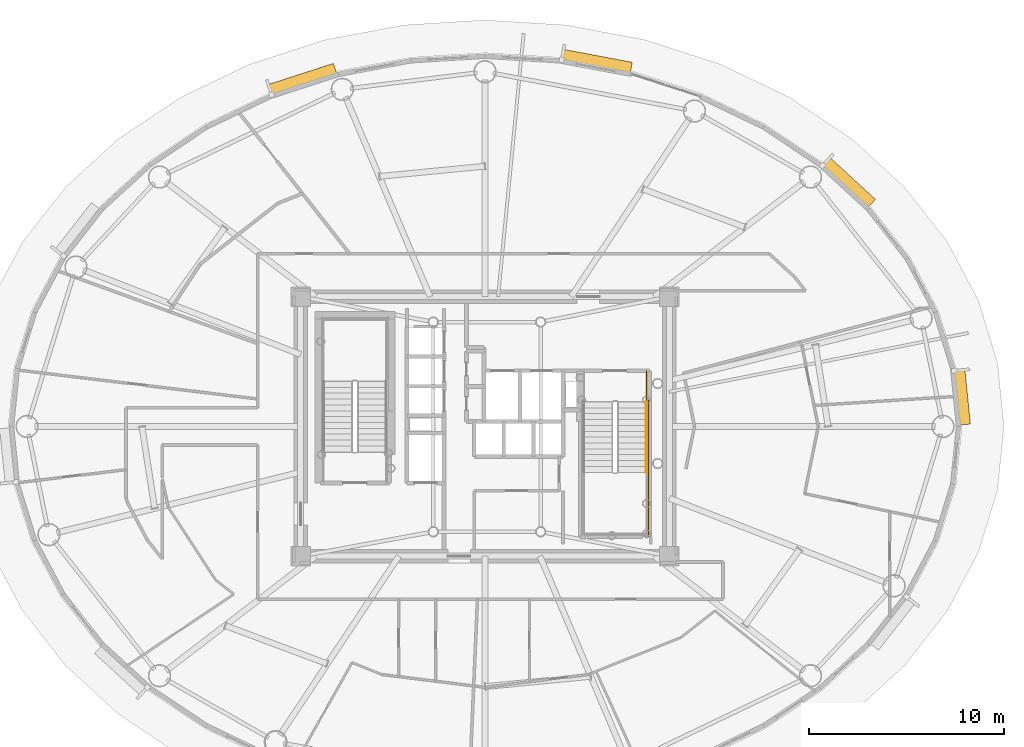
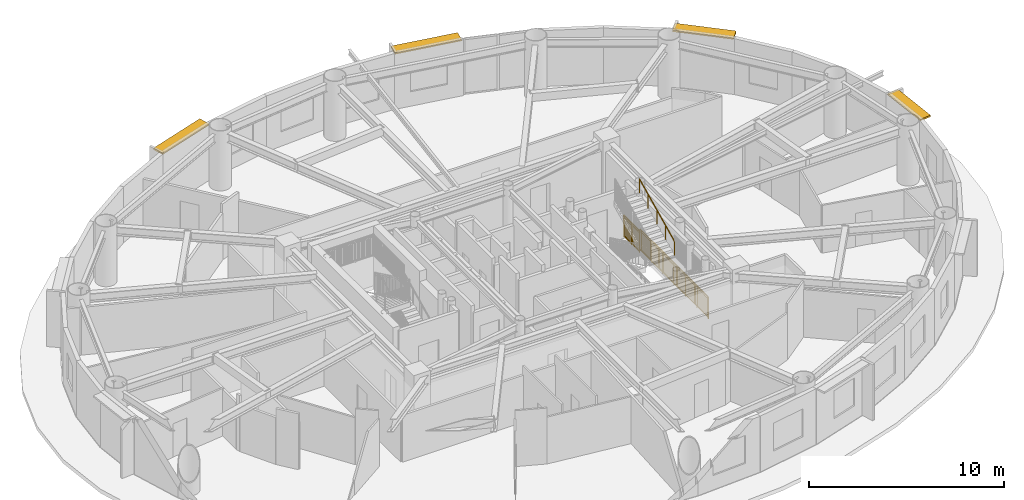
# One storey, part 19 of 19: 4 shading devices, 3 railings.
"""IFC4 building model written with IfcOpenShell, lengths in metres."""

from ifc_helpers import new_model, si_unit, direction, frame, origin, origin_2d, place, context, subcontext, project, spatial, rectangle, extrude, source, transform, mapped, material, layer, layer_set, type_object, element, save


model = new_model("IFC4")

# Units and contexts
model_context = context("Model", 3, precision=1e-05, world=origin(), true_north=direction((0.0, 1.0)))
body_context = subcontext(model_context, "Body", "Model", "MODEL_VIEW")
ifc_project = project(units=[si_unit("LENGTHUNIT", "METRE"), si_unit("AREAUNIT", "SQUARE_METRE"), si_unit("VOLUMEUNIT", "CUBIC_METRE"), si_unit("PLANEANGLEUNIT", "RADIAN"), si_unit("MASSUNIT", "GRAM", prefix="KILO")], contexts=[model_context])

# Site, building, storey
site_placement = place(None, origin())
site = spatial("IfcSite", under=ifc_project, at=site_placement, CompositionType="ELEMENT")
building_placement = place(site_placement, origin())
building = spatial("IfcBuilding", under=site, at=building_placement, Name="Linh Dai School and Residence Tower", CompositionType="ELEMENT")
storey_placement = place(building_placement, frame((0.0, 0.0, 210.300048828125)))
storey = spatial("IfcBuildingStorey", under=building, at=storey_placement, Name="L51", CompositionType="ELEMENT", Elevation=210.300048828125)

# Shading devices
ifc_material_1 = material(Name="Terracotta Ceramic Sunshade", Category="masonry")
ifc_layer = layer(ifc_material_1, 0.10009765625)
ifc_layer_set = layer_set([ifc_layer], Name="Terracotta Ceramic Sunshade")
shading_device_type = type_object("IfcShadingDeviceType", Name="SHD-TC-650", PredefinedType="USERDEFINED", material=ifc_layer_set)
shared_shape_1 = source(origin(), body_context, "Body", "SweptSolid", [
    extrude(rectangle(XDim=2.859619140625, YDim=0.64990234375, at=origin_2d()), origin(), (0.0, 0.0, 1.0), 0.10009765625),
])
shading_device_1_placement = place(storey_placement, frame((60.40966796875, 28.510498046875, 3.3798828125), z_axis=(0.0, 0.0, 1.0), x_axis=(0.100012244219, -0.99498620644, 0.0)))
element("IfcShadingDevice", 1, at=shading_device_1_placement, inside=storey, type_object=shading_device_type, Name="L51 Terracotta Horizontal Sunshade Band 01", ObjectType="SUNSHADE", PredefinedType="USERDEFINED", context=body_context, shape_type="MappedRepresentation", body=[
    mapped(shared_shape_1, transform((0.0, 0.0, 0.0), x_axis=(1.0, 0.0, 0.0), y_axis=(0.0, 1.0, 0.0), z_axis=(0.0, 0.0, 1.0), scale=1.0)),
])
shared_shape_2 = source(origin(), body_context, "Body", "SweptSolid", [
    extrude(rectangle(XDim=3.219482421875, YDim=0.64990234375, at=origin_2d()), origin(), (0.0, 0.0, 1.0), 0.10009765625),
])
shading_device_2_placement = place(storey_placement, frame((54.60498046875, 39.48779296875, 3.3798828125), z_axis=(0.0, 0.0, 1.0), x_axis=(0.737123938446, -0.675757574408, 0.0)))
element("IfcShadingDevice", 2, at=shading_device_2_placement, inside=storey, type_object=shading_device_type, Name="L51 Terracotta Horizontal Sunshade Band 05", ObjectType="SUNSHADE", PredefinedType="USERDEFINED", context=body_context, shape_type="MappedRepresentation", body=[
    mapped(shared_shape_2, transform((0.0, 0.0, 0.0), x_axis=(1.0, 0.0, 0.0), y_axis=(0.0, 1.0, 0.0), z_axis=(0.0, 0.0, 1.0), scale=1.0)),
])
shared_shape_3 = source(origin(), body_context, "Body", "SweptSolid", [
    extrude(rectangle(XDim=3.62158203125, YDim=0.64990234375, at=origin_2d()), origin(), (0.0, 0.0, 1.0), 0.10009765625),
])
shading_device_3_placement = place(storey_placement, frame((41.7080078125, 45.67724609375, 3.3798828125), z_axis=(0.0, 0.0, 1.0), x_axis=(0.982786586765, -0.18474448537, 0.0)))
element("IfcShadingDevice", 3, at=shading_device_3_placement, inside=storey, type_object=shading_device_type, Name="L51 Terracotta Horizontal Sunshade Band 09", ObjectType="SUNSHADE", PredefinedType="USERDEFINED", context=body_context, shape_type="MappedRepresentation", body=[
    mapped(shared_shape_3, transform((0.0, 0.0, 0.0), x_axis=(1.0, 0.0, 0.0), y_axis=(0.0, 1.0, 0.0), z_axis=(0.0, 0.0, 1.0), scale=1.0)),
])
shared_shape_4 = source(origin(), body_context, "Body", "SweptSolid", [
    extrude(rectangle(XDim=3.554443359375, YDim=0.64990234375, at=origin_2d()), origin(), (0.0, 0.0, 1.0), 0.10009765625),
])
shading_device_4_placement = place(storey_placement, frame((26.641845703125, 44.748779296875, 3.3798828125), z_axis=(0.0, 0.0, 1.0), x_axis=(0.951223997135, 0.308501065272, 0.0)))
element("IfcShadingDevice", 4, at=shading_device_4_placement, inside=storey, type_object=shading_device_type, Name="L51 Terracotta Horizontal Sunshade Band 13", ObjectType="SUNSHADE", PredefinedType="USERDEFINED", context=body_context, shape_type="MappedRepresentation", body=[
    mapped(shared_shape_4, transform((0.0, 0.0, 0.0), x_axis=(1.0, 0.0, 0.0), y_axis=(0.0, 1.0, 0.0), z_axis=(0.0, 0.0, 1.0), scale=1.0)),
])

# Railings
ifc_material_2 = material(Name="Brushed Stainless Steel Handrail", Category="steel")
railing_type_1 = type_object("IfcRailingType", Name="RL-ST-HANDRAIL-900", PredefinedType="HANDRAIL", material=ifc_material_2)
shared_shape_5 = source(origin(), body_context, "Body", "SweptSolid", [
    extrude(rectangle(XDim=0.048095703125, YDim=0.048095703125, at=origin_2d()), frame((0.0, 0.0, 0.8759765625), z_axis=(0.0, 0.901262522062, 0.433273431364), x_axis=(-1.0, 0.0, 0.0)), (0.0, 0.0, 1.0), 3.994384765625),
    extrude(rectangle(XDim=0.0419921875, YDim=0.0419921875, at=origin_2d()), origin(), (0.0, 0.0, 1.0), 0.8759765625),
    extrude(rectangle(XDim=0.0419921875, YDim=0.0419921875, at=origin_2d()), frame((0.0, 0.89990234375, 0.4326171875)), (0.0, 0.0, 1.0), 0.8759765625),
    extrude(rectangle(XDim=0.0419921875, YDim=0.0419921875, at=origin_2d()), frame((0.0, 1.800048828125, 0.865234375)), (0.0, 0.0, 1.0), 0.8759765625),
    extrude(rectangle(XDim=0.0419921875, YDim=0.0419921875, at=origin_2d()), frame((0.0, 2.7001953125, 1.298095703125)), (0.0, 0.0, 1.0), 0.8759765625),
    extrude(rectangle(XDim=0.0419921875, YDim=0.0419921875, at=origin_2d()), frame((0.0, 3.60009765625, 1.730712890625)), (0.0, 0.0, 1.0), 0.8759765625),
])
railing_1_placement = place(storey_placement, frame((44.27001953125, 24.64990234375, 2.019287109375)))
element("IfcRailing", 5, at=railing_1_placement, inside=storey, type_object=railing_type_1, Name="L51 ST2 stair handrail 2", PredefinedType="HANDRAIL", context=body_context, shape_type="MappedRepresentation", body=[
    mapped(shared_shape_5, transform((0.0, 0.0, 0.0), x_axis=(1.0, 0.0, 0.0), y_axis=(0.0, 1.0, 0.0), z_axis=(0.0, 0.0, 1.0), scale=1.0)),
])
ifc_material_3 = material(Name="Structural Steel S355JR", Category="steel")
railing_type_2 = type_object("IfcRailingType", Name="RL-ST-GUARD-1400", PredefinedType="GUARDRAIL", material=ifc_material_3)
shared_shape_6 = source(origin(), body_context, "Body", "SweptSolid", [
    extrude(rectangle(XDim=0.048095703125, YDim=0.048095703125, at=origin_2d()), frame((0.0, 0.0, 1.3759765625), z_axis=(0.0, -1.0, 0.0), x_axis=(1.0, 0.0, 0.0)), (0.0, 0.0, 1.0), 1.60009765625),
    extrude(rectangle(XDim=0.048095703125, YDim=0.048095703125, at=origin_2d()), frame((0.0, 0.0, 0.10009765625), z_axis=(0.0, -1.0, 0.0), x_axis=(1.0, 0.0, 0.0)), (0.0, 0.0, 1.0), 1.60009765625),
    extrude(rectangle(XDim=0.030029296875, YDim=0.030029296875, at=origin_2d()), frame((0.0, 0.0, 1.239990234375), z_axis=(0.0, -1.0, 0.0), x_axis=(1.0, 0.0, 0.0)), (0.0, 0.0, 1.0), 1.60009765625),
    extrude(rectangle(XDim=0.02001953125, YDim=0.02001953125, at=origin_2d()), frame((0.0, -0.09423828125, 0.10009765625)), (0.0, 0.0, 1.0), 1.251708984375),
    extrude(rectangle(XDim=0.02001953125, YDim=0.02001953125, at=origin_2d()), frame((0.0, -0.188232421875, 0.10009765625)), (0.0, 0.0, 1.0), 1.251708984375),
    extrude(rectangle(XDim=0.02001953125, YDim=0.02001953125, at=origin_2d()), frame((0.0, -0.282470703125, 0.10009765625)), (0.0, 0.0, 1.0), 1.251708984375),
    extrude(rectangle(XDim=0.02001953125, YDim=0.02001953125, at=origin_2d()), frame((0.0, -0.37646484375, 0.10009765625)), (0.0, 0.0, 1.0), 1.251708984375),
    extrude(rectangle(XDim=0.02001953125, YDim=0.02001953125, at=origin_2d()), frame((0.0, -0.470703125, 0.10009765625)), (0.0, 0.0, 1.0), 1.251708984375),
    extrude(rectangle(XDim=0.02001953125, YDim=0.02001953125, at=origin_2d()), frame((0.0, -0.564697265625, 0.10009765625)), (0.0, 0.0, 1.0), 1.251708984375),
    extrude(rectangle(XDim=0.02001953125, YDim=0.02001953125, at=origin_2d()), frame((0.0, -0.658935546875, 0.10009765625)), (0.0, 0.0, 1.0), 1.251708984375),
    extrude(rectangle(XDim=0.02001953125, YDim=0.02001953125, at=origin_2d()), frame((0.0, -0.7529296875, 0.10009765625)), (0.0, 0.0, 1.0), 1.251708984375),
    extrude(rectangle(XDim=0.02001953125, YDim=0.02001953125, at=origin_2d()), frame((0.0, -0.84716796875, 0.10009765625)), (0.0, 0.0, 1.0), 1.251708984375),
    extrude(rectangle(XDim=0.02001953125, YDim=0.02001953125, at=origin_2d()), frame((0.0, -0.941162109375, 0.10009765625)), (0.0, 0.0, 1.0), 1.251708984375),
    extrude(rectangle(XDim=0.02001953125, YDim=0.02001953125, at=origin_2d()), frame((0.0, -1.035400390625, 0.10009765625)), (0.0, 0.0, 1.0), 1.251708984375),
    extrude(rectangle(XDim=0.02001953125, YDim=0.02001953125, at=origin_2d()), frame((0.0, -1.12939453125, 0.10009765625)), (0.0, 0.0, 1.0), 1.251708984375),
    extrude(rectangle(XDim=0.02001953125, YDim=0.02001953125, at=origin_2d()), frame((0.0, -1.2236328125, 0.10009765625)), (0.0, 0.0, 1.0), 1.251708984375),
    extrude(rectangle(XDim=0.02001953125, YDim=0.02001953125, at=origin_2d()), frame((0.0, -1.317626953125, 0.10009765625)), (0.0, 0.0, 1.0), 1.251708984375),
    extrude(rectangle(XDim=0.02001953125, YDim=0.02001953125, at=origin_2d()), frame((0.0, -1.411865234375, 0.10009765625)), (0.0, 0.0, 1.0), 1.251708984375),
    extrude(rectangle(XDim=0.02001953125, YDim=0.02001953125, at=origin_2d()), frame((0.0, -1.505859375, 0.10009765625)), (0.0, 0.0, 1.0), 1.251708984375),
    extrude(rectangle(XDim=0.0419921875, YDim=0.0419921875, at=origin_2d()), origin(), (0.0, 0.0, 1.0), 1.3759765625),
    extrude(rectangle(XDim=0.0419921875, YDim=0.0419921875, at=origin_2d()), frame((0.0, -0.800048828125, 0.0)), (0.0, 0.0, 1.0), 1.3759765625),
    extrude(rectangle(XDim=0.0419921875, YDim=0.0419921875, at=origin_2d()), frame((0.0, -1.60009765625, 0.0)), (0.0, 0.0, 1.0), 1.3759765625),
])
railing_2_placement = place(storey_placement, frame((44.27001953125, 29.85009765625, 0.0)))
element("IfcRailing", 6, at=railing_2_placement, inside=storey, type_object=railing_type_2, Name="L51 ST2 stair guard 9", PredefinedType="GUARDRAIL", context=body_context, shape_type="MappedRepresentation", body=[
    mapped(shared_shape_6, transform((0.0, 0.0, 0.0), x_axis=(1.0, 0.0, 0.0), y_axis=(0.0, 1.0, 0.0), z_axis=(0.0, 0.0, 1.0), scale=1.0)),
])
shared_shape_7 = source(origin(), body_context, "Body", "SweptSolid", [
    extrude(rectangle(XDim=0.048095703125, YDim=0.048095703125, at=origin_2d()), frame((0.0, 0.0, 1.3759765625), z_axis=(0.0, -1.0, 0.0), x_axis=(1.0, 0.0, 0.0)), (0.0, 0.0, 1.0), 7.0),
    extrude(rectangle(XDim=0.048095703125, YDim=0.048095703125, at=origin_2d()), frame((0.0, 0.0, 0.10009765625), z_axis=(0.0, -1.0, 0.0), x_axis=(1.0, 0.0, 0.0)), (0.0, 0.0, 1.0), 7.0),
    extrude(rectangle(XDim=0.030029296875, YDim=0.030029296875, at=origin_2d()), frame((0.0, 0.0, 1.239990234375), z_axis=(0.0, -1.0, 0.0), x_axis=(1.0, 0.0, 0.0)), (0.0, 0.0, 1.0), 7.0),
    extrude(rectangle(XDim=0.02001953125, YDim=0.02001953125, at=origin_2d()), frame((0.0, -0.09716796875, 0.10009765625)), (0.0, 0.0, 1.0), 1.251708984375),
    extrude(rectangle(XDim=0.02001953125, YDim=0.02001953125, at=origin_2d()), frame((0.0, -0.1943359375, 0.10009765625)), (0.0, 0.0, 1.0), 1.251708984375),
    extrude(rectangle(XDim=0.02001953125, YDim=0.02001953125, at=origin_2d()), frame((0.0, -0.291748046875, 0.10009765625)), (0.0, 0.0, 1.0), 1.251708984375),
    extrude(rectangle(XDim=0.02001953125, YDim=0.02001953125, at=origin_2d()), frame((0.0, -0.388916015625, 0.10009765625)), (0.0, 0.0, 1.0), 1.251708984375),
    extrude(rectangle(XDim=0.02001953125, YDim=0.02001953125, at=origin_2d()), frame((0.0, -0.486083984375, 0.10009765625)), (0.0, 0.0, 1.0), 1.251708984375),
    extrude(rectangle(XDim=0.02001953125, YDim=0.02001953125, at=origin_2d()), frame((0.0, -0.583251953125, 0.10009765625)), (0.0, 0.0, 1.0), 1.251708984375),
    extrude(rectangle(XDim=0.02001953125, YDim=0.02001953125, at=origin_2d()), frame((0.0, -0.6806640625, 0.10009765625)), (0.0, 0.0, 1.0), 1.251708984375),
    extrude(rectangle(XDim=0.02001953125, YDim=0.02001953125, at=origin_2d()), frame((0.0, -0.77783203125, 0.10009765625)), (0.0, 0.0, 1.0), 1.251708984375),
    extrude(rectangle(XDim=0.02001953125, YDim=0.02001953125, at=origin_2d()), frame((0.0, -0.875, 0.10009765625)), (0.0, 0.0, 1.0), 1.251708984375),
    extrude(rectangle(XDim=0.02001953125, YDim=0.02001953125, at=origin_2d()), frame((0.0, -0.97216796875, 0.10009765625)), (0.0, 0.0, 1.0), 1.251708984375),
    extrude(rectangle(XDim=0.02001953125, YDim=0.02001953125, at=origin_2d()), frame((0.0, -1.0693359375, 0.10009765625)), (0.0, 0.0, 1.0), 1.251708984375),
    extrude(rectangle(XDim=0.02001953125, YDim=0.02001953125, at=origin_2d()), frame((0.0, -1.263916015625, 0.10009765625)), (0.0, 0.0, 1.0), 1.251708984375),
    extrude(rectangle(XDim=0.02001953125, YDim=0.02001953125, at=origin_2d()), frame((0.0, -1.361083984375, 0.10009765625)), (0.0, 0.0, 1.0), 1.251708984375),
    extrude(rectangle(XDim=0.02001953125, YDim=0.02001953125, at=origin_2d()), frame((0.0, -1.458251953125, 0.10009765625)), (0.0, 0.0, 1.0), 1.251708984375),
    extrude(rectangle(XDim=0.02001953125, YDim=0.02001953125, at=origin_2d()), frame((0.0, -1.5556640625, 0.10009765625)), (0.0, 0.0, 1.0), 1.251708984375),
    extrude(rectangle(XDim=0.02001953125, YDim=0.02001953125, at=origin_2d()), frame((0.0, -1.65283203125, 0.10009765625)), (0.0, 0.0, 1.0), 1.251708984375),
    extrude(rectangle(XDim=0.02001953125, YDim=0.02001953125, at=origin_2d()), frame((0.0, -1.75, 0.10009765625)), (0.0, 0.0, 1.0), 1.251708984375),
    extrude(rectangle(XDim=0.02001953125, YDim=0.02001953125, at=origin_2d()), frame((0.0, -1.84716796875, 0.10009765625)), (0.0, 0.0, 1.0), 1.251708984375),
    extrude(rectangle(XDim=0.02001953125, YDim=0.02001953125, at=origin_2d()), frame((0.0, -1.9443359375, 0.10009765625)), (0.0, 0.0, 1.0), 1.251708984375),
    extrude(rectangle(XDim=0.02001953125, YDim=0.02001953125, at=origin_2d()), frame((0.0, -2.041748046875, 0.10009765625)), (0.0, 0.0, 1.0), 1.251708984375),
    extrude(rectangle(XDim=0.02001953125, YDim=0.02001953125, at=origin_2d()), frame((0.0, -2.138916015625, 0.10009765625)), (0.0, 0.0, 1.0), 1.251708984375),
    extrude(rectangle(XDim=0.02001953125, YDim=0.02001953125, at=origin_2d()), frame((0.0, -2.236083984375, 0.10009765625)), (0.0, 0.0, 1.0), 1.251708984375),
    extrude(rectangle(XDim=0.02001953125, YDim=0.02001953125, at=origin_2d()), frame((0.0, -2.4306640625, 0.10009765625)), (0.0, 0.0, 1.0), 1.251708984375),
    extrude(rectangle(XDim=0.02001953125, YDim=0.02001953125, at=origin_2d()), frame((0.0, -2.52783203125, 0.10009765625)), (0.0, 0.0, 1.0), 1.251708984375),
    extrude(rectangle(XDim=0.02001953125, YDim=0.02001953125, at=origin_2d()), frame((0.0, -2.625, 0.10009765625)), (0.0, 0.0, 1.0), 1.251708984375),
    extrude(rectangle(XDim=0.02001953125, YDim=0.02001953125, at=origin_2d()), frame((0.0, -2.72216796875, 0.10009765625)), (0.0, 0.0, 1.0), 1.251708984375),
    extrude(rectangle(XDim=0.02001953125, YDim=0.02001953125, at=origin_2d()), frame((0.0, -2.8193359375, 0.10009765625)), (0.0, 0.0, 1.0), 1.251708984375),
    extrude(rectangle(XDim=0.02001953125, YDim=0.02001953125, at=origin_2d()), frame((0.0, -2.916748046875, 0.10009765625)), (0.0, 0.0, 1.0), 1.251708984375),
    extrude(rectangle(XDim=0.02001953125, YDim=0.02001953125, at=origin_2d()), frame((0.0, -3.013916015625, 0.10009765625)), (0.0, 0.0, 1.0), 1.251708984375),
    extrude(rectangle(XDim=0.02001953125, YDim=0.02001953125, at=origin_2d()), frame((0.0, -3.111083984375, 0.10009765625)), (0.0, 0.0, 1.0), 1.251708984375),
    extrude(rectangle(XDim=0.02001953125, YDim=0.02001953125, at=origin_2d()), frame((0.0, -3.208251953125, 0.10009765625)), (0.0, 0.0, 1.0), 1.251708984375),
    extrude(rectangle(XDim=0.02001953125, YDim=0.02001953125, at=origin_2d()), frame((0.0, -3.3056640625, 0.10009765625)), (0.0, 0.0, 1.0), 1.251708984375),
    extrude(rectangle(XDim=0.02001953125, YDim=0.02001953125, at=origin_2d()), frame((0.0, -3.40283203125, 0.10009765625)), (0.0, 0.0, 1.0), 1.251708984375),
    extrude(rectangle(XDim=0.02001953125, YDim=0.02001953125, at=origin_2d()), frame((0.0, -3.59716796875, 0.10009765625)), (0.0, 0.0, 1.0), 1.251708984375),
    extrude(rectangle(XDim=0.02001953125, YDim=0.02001953125, at=origin_2d()), frame((0.0, -3.6943359375, 0.10009765625)), (0.0, 0.0, 1.0), 1.251708984375),
    extrude(rectangle(XDim=0.02001953125, YDim=0.02001953125, at=origin_2d()), frame((0.0, -3.791748046875, 0.10009765625)), (0.0, 0.0, 1.0), 1.251708984375),
    extrude(rectangle(XDim=0.02001953125, YDim=0.02001953125, at=origin_2d()), frame((0.0, -3.888916015625, 0.10009765625)), (0.0, 0.0, 1.0), 1.251708984375),
    extrude(rectangle(XDim=0.02001953125, YDim=0.02001953125, at=origin_2d()), frame((0.0, -3.986083984375, 0.10009765625)), (0.0, 0.0, 1.0), 1.251708984375),
    extrude(rectangle(XDim=0.02001953125, YDim=0.02001953125, at=origin_2d()), frame((0.0, -4.083251953125, 0.10009765625)), (0.0, 0.0, 1.0), 1.251708984375),
    extrude(rectangle(XDim=0.02001953125, YDim=0.02001953125, at=origin_2d()), frame((0.0, -4.1806640625, 0.10009765625)), (0.0, 0.0, 1.0), 1.251708984375),
    extrude(rectangle(XDim=0.02001953125, YDim=0.02001953125, at=origin_2d()), frame((0.0, -4.27783203125, 0.10009765625)), (0.0, 0.0, 1.0), 1.251708984375),
    extrude(rectangle(XDim=0.02001953125, YDim=0.02001953125, at=origin_2d()), frame((0.0, -4.375, 0.10009765625)), (0.0, 0.0, 1.0), 1.251708984375),
    extrude(rectangle(XDim=0.02001953125, YDim=0.02001953125, at=origin_2d()), frame((0.0, -4.47216796875, 0.10009765625)), (0.0, 0.0, 1.0), 1.251708984375),
    extrude(rectangle(XDim=0.02001953125, YDim=0.02001953125, at=origin_2d()), frame((0.0, -4.5693359375, 0.10009765625)), (0.0, 0.0, 1.0), 1.251708984375),
    extrude(rectangle(XDim=0.02001953125, YDim=0.02001953125, at=origin_2d()), frame((0.0, -4.763916015625, 0.10009765625)), (0.0, 0.0, 1.0), 1.251708984375),
    extrude(rectangle(XDim=0.02001953125, YDim=0.02001953125, at=origin_2d()), frame((0.0, -4.861083984375, 0.10009765625)), (0.0, 0.0, 1.0), 1.251708984375),
    extrude(rectangle(XDim=0.02001953125, YDim=0.02001953125, at=origin_2d()), frame((0.0, -4.958251953125, 0.10009765625)), (0.0, 0.0, 1.0), 1.251708984375),
    extrude(rectangle(XDim=0.02001953125, YDim=0.02001953125, at=origin_2d()), frame((0.0, -5.0556640625, 0.10009765625)), (0.0, 0.0, 1.0), 1.251708984375),
    extrude(rectangle(XDim=0.02001953125, YDim=0.02001953125, at=origin_2d()), frame((0.0, -5.15283203125, 0.10009765625)), (0.0, 0.0, 1.0), 1.251708984375),
    extrude(rectangle(XDim=0.02001953125, YDim=0.02001953125, at=origin_2d()), frame((0.0, -5.25, 0.10009765625)), (0.0, 0.0, 1.0), 1.251708984375),
    extrude(rectangle(XDim=0.02001953125, YDim=0.02001953125, at=origin_2d()), frame((0.0, -5.34716796875, 0.10009765625)), (0.0, 0.0, 1.0), 1.251708984375),
    extrude(rectangle(XDim=0.02001953125, YDim=0.02001953125, at=origin_2d()), frame((0.0, -5.4443359375, 0.10009765625)), (0.0, 0.0, 1.0), 1.251708984375),
    extrude(rectangle(XDim=0.02001953125, YDim=0.02001953125, at=origin_2d()), frame((0.0, -5.541748046875, 0.10009765625)), (0.0, 0.0, 1.0), 1.251708984375),
    extrude(rectangle(XDim=0.02001953125, YDim=0.02001953125, at=origin_2d()), frame((0.0, -5.638916015625, 0.10009765625)), (0.0, 0.0, 1.0), 1.251708984375),
    extrude(rectangle(XDim=0.02001953125, YDim=0.02001953125, at=origin_2d()), frame((0.0, -5.736083984375, 0.10009765625)), (0.0, 0.0, 1.0), 1.251708984375),
    extrude(rectangle(XDim=0.02001953125, YDim=0.02001953125, at=origin_2d()), frame((0.0, -5.9306640625, 0.10009765625)), (0.0, 0.0, 1.0), 1.251708984375),
    extrude(rectangle(XDim=0.02001953125, YDim=0.02001953125, at=origin_2d()), frame((0.0, -6.02783203125, 0.10009765625)), (0.0, 0.0, 1.0), 1.251708984375),
    extrude(rectangle(XDim=0.02001953125, YDim=0.02001953125, at=origin_2d()), frame((0.0, -6.125, 0.10009765625)), (0.0, 0.0, 1.0), 1.251708984375),
    extrude(rectangle(XDim=0.02001953125, YDim=0.02001953125, at=origin_2d()), frame((0.0, -6.22216796875, 0.10009765625)), (0.0, 0.0, 1.0), 1.251708984375),
    extrude(rectangle(XDim=0.02001953125, YDim=0.02001953125, at=origin_2d()), frame((0.0, -6.3193359375, 0.10009765625)), (0.0, 0.0, 1.0), 1.251708984375),
    extrude(rectangle(XDim=0.02001953125, YDim=0.02001953125, at=origin_2d()), frame((0.0, -6.416748046875, 0.10009765625)), (0.0, 0.0, 1.0), 1.251708984375),
    extrude(rectangle(XDim=0.02001953125, YDim=0.02001953125, at=origin_2d()), frame((0.0, -6.513916015625, 0.10009765625)), (0.0, 0.0, 1.0), 1.251708984375),
    extrude(rectangle(XDim=0.02001953125, YDim=0.02001953125, at=origin_2d()), frame((0.0, -6.611083984375, 0.10009765625)), (0.0, 0.0, 1.0), 1.251708984375),
    extrude(rectangle(XDim=0.02001953125, YDim=0.02001953125, at=origin_2d()), frame((0.0, -6.708251953125, 0.10009765625)), (0.0, 0.0, 1.0), 1.251708984375),
    extrude(rectangle(XDim=0.02001953125, YDim=0.02001953125, at=origin_2d()), frame((0.0, -6.8056640625, 0.10009765625)), (0.0, 0.0, 1.0), 1.251708984375),
    extrude(rectangle(XDim=0.02001953125, YDim=0.02001953125, at=origin_2d()), frame((0.0, -6.90283203125, 0.10009765625)), (0.0, 0.0, 1.0), 1.251708984375),
    extrude(rectangle(XDim=0.0419921875, YDim=0.0419921875, at=origin_2d()), origin(), (0.0, 0.0, 1.0), 1.3759765625),
    extrude(rectangle(XDim=0.0419921875, YDim=0.0419921875, at=origin_2d()), frame((0.0, -1.166748046875, 0.0)), (0.0, 0.0, 1.0), 1.3759765625),
    extrude(rectangle(XDim=0.0419921875, YDim=0.0419921875, at=origin_2d()), frame((0.0, -2.333251953125, 0.0)), (0.0, 0.0, 1.0), 1.3759765625),
    extrude(rectangle(XDim=0.0419921875, YDim=0.0419921875, at=origin_2d()), frame((0.0, -3.5, 0.0)), (0.0, 0.0, 1.0), 1.3759765625),
    extrude(rectangle(XDim=0.0419921875, YDim=0.0419921875, at=origin_2d()), frame((0.0, -4.666748046875, 0.0)), (0.0, 0.0, 1.0), 1.3759765625),
    extrude(rectangle(XDim=0.0419921875, YDim=0.0419921875, at=origin_2d()), frame((0.0, -5.833251953125, 0.0)), (0.0, 0.0, 1.0), 1.3759765625),
    extrude(rectangle(XDim=0.0419921875, YDim=0.0419921875, at=origin_2d()), frame((0.0, -7.0, 0.0)), (0.0, 0.0, 1.0), 1.3759765625),
])
railing_3_placement = place(storey_placement, frame((44.3701171875, 28.35009765625, 0.0)))
element("IfcRailing", 7, at=railing_3_placement, inside=storey, type_object=railing_type_2, Name="L51 ST2 stair guard 11", PredefinedType="GUARDRAIL", context=body_context, shape_type="MappedRepresentation", body=[
    mapped(shared_shape_7, transform((0.0, 0.0, 0.0), x_axis=(1.0, 0.0, 0.0), y_axis=(0.0, 1.0, 0.0), z_axis=(0.0, 0.0, 1.0), scale=1.0)),
])

save(model, "model.ifc")
